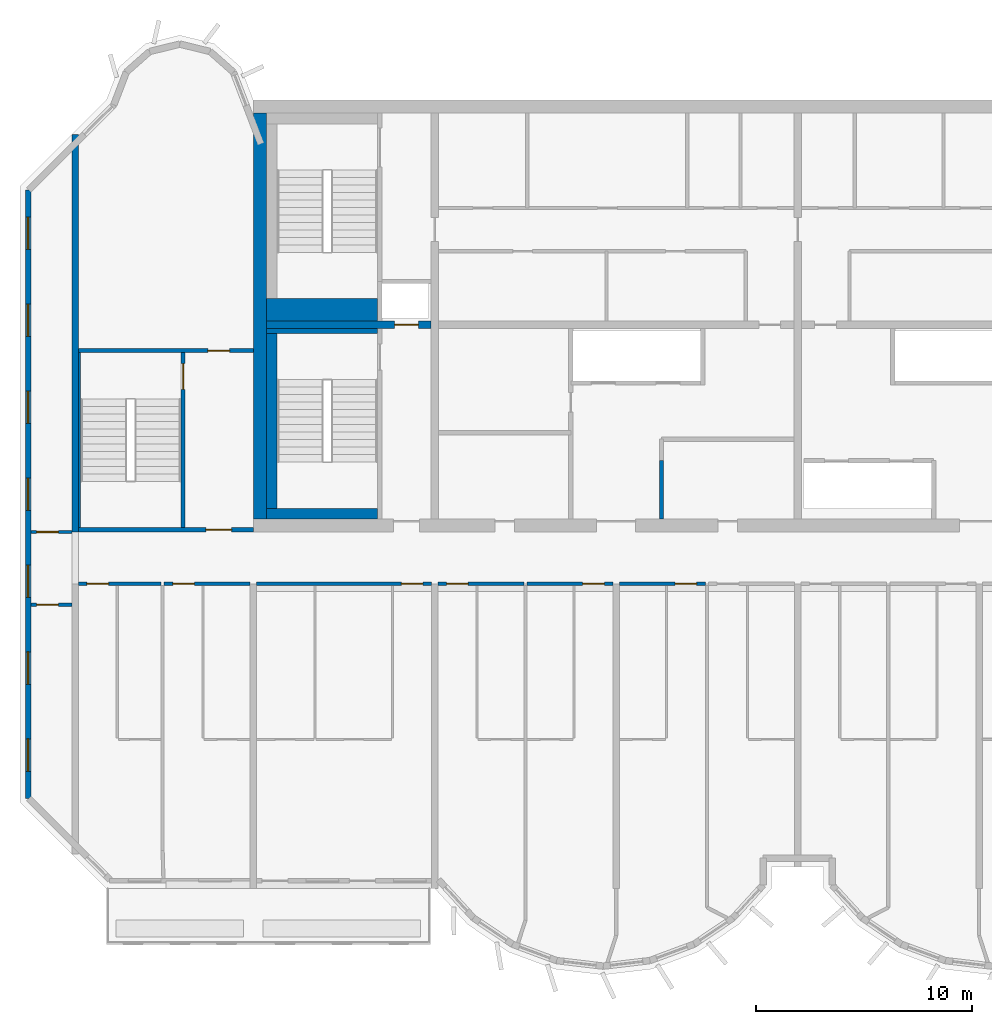
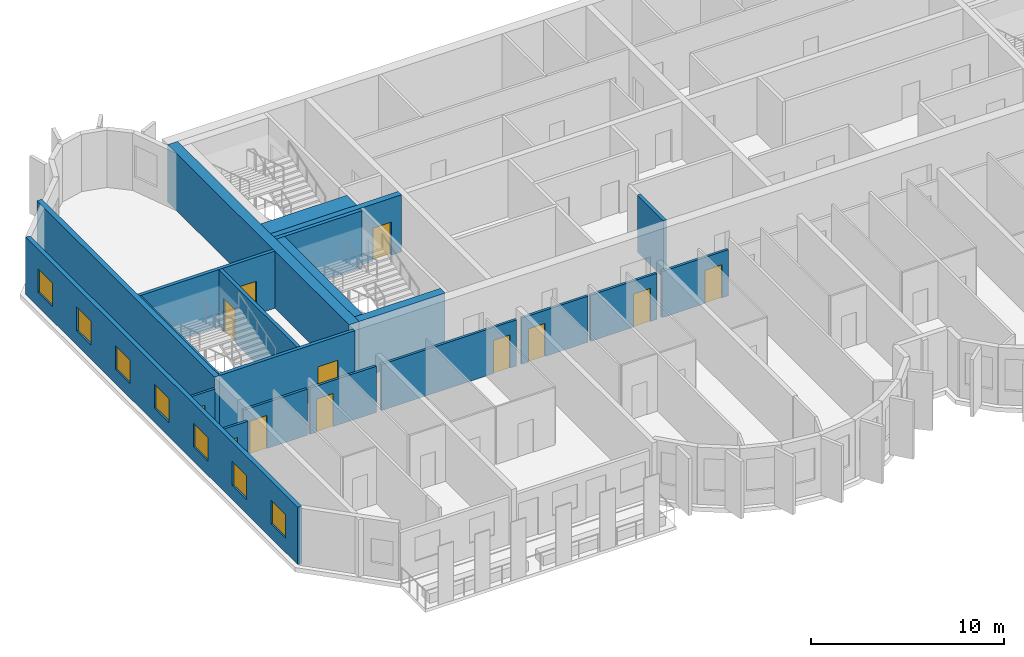
# One storey, part 3 of 11: 21 walls, 12 doors, 7 windows, 19 openings.
"""IFC4 building model written with IfcOpenShell, lengths in metres."""

from ifc_helpers import new_model, si_unit, direction, frame, frame_2d, origin, place, context, subcontext, project, spatial, rectangle, extrude, source, transform, mapped, material, layer, layer_set, type_object, element, fill, save


model = new_model("IFC4")

# Units and contexts
model_context = context("Model", 3, precision=1e-05, world=origin(), true_north=direction((0.0, 1.0)))
body_context = subcontext(model_context, "Body", "Model", "MODEL_VIEW")
ifc_project = project(units=[si_unit("LENGTHUNIT", "METRE"), si_unit("AREAUNIT", "SQUARE_METRE"), si_unit("VOLUMEUNIT", "CUBIC_METRE"), si_unit("PLANEANGLEUNIT", "RADIAN"), si_unit("MASSUNIT", "GRAM", prefix="KILO")], contexts=[model_context])

# Site, building, storey
site_placement = place(None, origin())
site = spatial("IfcSite", under=ifc_project, at=site_placement, CompositionType="ELEMENT")
building_placement = place(site_placement, origin())
building = spatial("IfcBuilding", under=site, at=building_placement, Name="Vanashikhar Sky Hotel", CompositionType="ELEMENT")
storey_placement = place(building_placement, frame((0.0, 0.0, 233.5)))
storey = spatial("IfcBuildingStorey", under=building, at=storey_placement, Name="L56", CompositionType="ELEMENT", Elevation=233.5)

# Wall
ifc_material_1 = material(Name="Concrete M60", Category="concrete")
ifc_layer_1 = layer(ifc_material_1, 0.60009765625)
ifc_layer_set_1 = layer_set([ifc_layer_1], Name="RC core shell wall 600 Concrete M60")
wall_type_1 = type_object("IfcWallType", Name="RC core shell wall 600 Concrete M60", PredefinedType="SHEAR", material=ifc_layer_set_1)
shared_shape_1 = source(origin(), body_context, "Body", "SweptSolid", [
    extrude(rectangle(XDim=18.7998046875, YDim=0.60009765625, at=frame_2d((9.39990234375, 0.0))), origin(), (0.0, 0.0, 1.0), 3.6201171875),
])
wall_1_placement = place(storey_placement, frame((25.5, 22.60009765625, 0.0), z_axis=(0.0, 0.0, 1.0), x_axis=(0.0, 1.0, 0.0)))
element("IfcWall", 1, at=wall_1_placement, inside=storey, type_object=wall_type_1, Name="KW-L56-KW", PredefinedType="SHEAR", context=body_context, shape_type="MappedRepresentation", body=[
    mapped(shared_shape_1, transform((0.0, 0.0, 0.0), scale=1.0)),
])

# Wall, opening, door
ifc_layer_2 = layer(ifc_material_1, 0.35009765625)
ifc_layer_set_2 = layer_set([ifc_layer_2], Name="RC core inner wall 350 Concrete M60")
wall_type_2 = type_object("IfcWallType", Name="RC core inner wall 350 Concrete M60", PredefinedType="SHEAR", material=ifc_layer_set_2)
shared_shape_2 = source(origin(), body_context, "Body", "SweptSolid", [
    extrude(rectangle(XDim=7.625, YDim=0.35009765625, at=frame_2d((3.8125, 0.0))), origin(), (0.0, 0.0, 1.0), 3.6201171875),
])
wall_2_placement = place(storey_placement, frame((25.800048828125, 31.60009765625, 0.0), z_axis=(0.0, 0.0, 1.0), x_axis=(1.0, 0.0, 0.0)))
wall_2 = element("IfcWall", 2, at=wall_2_placement, inside=storey, type_object=wall_type_2, Name="KW-L56-KY1", PredefinedType="SHEAR", context=body_context, shape_type="MappedRepresentation", body=[
    mapped(shared_shape_2, transform((0.0, 0.0, 0.0), scale=1.0)),
])
shared_shape_3 = source(origin(), body_context, "Body", "SweptSolid", [
    extrude(rectangle(XDim=1.10009765625, YDim=2.10009765625, at=frame_2d((0.550048828125, 1.050048828125))), frame((0.0, 0.18505859375, 0.0), z_axis=(0.0, -1.0, 0.0), x_axis=(1.0, 0.0, 0.0)), (0.0, 0.0, 1.0), 0.3701171875),
])
opening_1_placement = place(wall_2_placement, frame((5.93798828125, 0.0, 0.0)))
opening_1 = element("IfcOpeningElement", 3, at=opening_1_placement, cuts=wall_2, Name="Opening LD", PredefinedType="OPENING", context=body_context, shape_type="MappedRepresentation", body=[
    mapped(shared_shape_3, transform((0.0, 0.0, 0.0), scale=1.0)),
])
ifc_material_2 = material(Name="Stainless steel", Category="steel")
door_type_1 = type_object("IfcDoorType", Name="Lift landing door 1100", OperationType="NOTDEFINED", PredefinedType="DOOR", material=ifc_material_2)
shared_shape_4 = source(origin(), body_context, "Body", "SweptSolid", [
    extrude(rectangle(XDim=1.10009765625, YDim=2.10009765625, at=frame_2d((0.550048828125, 1.050048828125))), frame((0.0, 0.02490234375, 0.0), z_axis=(0.0, -1.0, 0.0), x_axis=(1.0, 0.0, 0.0)), (0.0, 0.0, 1.0), 0.050048828125),
])
door_1_placement = place(opening_1_placement, origin())
door_1 = element("IfcDoor", 4, at=door_1_placement, inside=storey, type_object=door_type_1, Name="Lift landing door 1100", OperationType="SLIDING_TO_LEFT", OverallHeight=2.10009765625, OverallWidth=1.10009765625, PredefinedType="DOOR", context=body_context, shape_type="MappedRepresentation", body=[
    mapped(shared_shape_4, transform((0.0, 0.0, 0.0), scale=1.0)),
])
fill(opening_1, door_1)

# Wall
ifc_layer_3 = layer(ifc_material_1, 0.300048828125)
ifc_layer_set_3 = layer_set([ifc_layer_3], Name="RC shear wall 300 Concrete M60")
wall_type_3 = type_object("IfcWallType", Name="RC shear wall 300 Concrete M60", PredefinedType="SHEAR", material=ifc_layer_set_3)
shared_shape_5 = source(origin(), body_context, "Body", "SweptSolid", [
    extrude(rectangle(XDim=18.39990234375, YDim=0.300048828125, at=frame_2d((9.199951171875, 0.0))), origin(), (0.0, 0.0, 1.0), 3.6201171875),
])
wall_3_placement = place(storey_placement, frame((16.949951171875, 22.0, 0.0), z_axis=(0.0, 0.0, 1.0), x_axis=(0.0, 1.0, 0.0)))
element("IfcWall", 5, at=wall_3_placement, inside=storey, type_object=wall_type_3, Name="CW-L56-XW03-2", PredefinedType="SHEAR", context=body_context, shape_type="MappedRepresentation", body=[
    mapped(shared_shape_5, transform((0.0, 0.0, 0.0), scale=1.0)),
])

# Wall, openings, windows
ifc_material_3 = material(Name="Concrete M50", Category="concrete")
ifc_layer_4 = layer(ifc_material_3, 0.25)
ifc_layer_set_4 = layer_set([ifc_layer_4], Name="Rear and end board-marked wall 250")
wall_type_4 = type_object("IfcWallType", Name="Rear and end board-marked wall 250", PredefinedType="SOLIDWALL", material=ifc_layer_set_4)
shared_shape_6 = source(origin(), body_context, "Body", "SweptSolid", [
    extrude(rectangle(XDim=28.189453125, YDim=0.25, at=frame_2d((14.0947265625, 0.0))), origin(), (0.0, 0.0, 1.0), 3.6201171875),
])
wall_4_placement = place(storey_placement, frame((14.77490234375, 37.8447265625, 0.0), z_axis=(0.0, 0.0, 1.0), x_axis=(0.0, -1.0, 0.0)))
wall_4 = element("IfcWall", 6, at=wall_4_placement, inside=storey, type_object=wall_type_4, Name="End board-marked wall", PredefinedType="SOLIDWALL", context=body_context, shape_type="MappedRepresentation", body=[
    mapped(shared_shape_6, transform((0.0, 0.0, 0.0), scale=1.0)),
])
shared_shape_7 = source(origin(), body_context, "Body", "SweptSolid", [
    extrude(rectangle(XDim=1.5, YDim=1.5, at=frame_2d((0.75, 0.75))), frame((0.0, 0.135009765625, 0.0), z_axis=(0.0, -1.0, 0.0), x_axis=(1.0, 0.0, 0.0)), (0.0, 0.0, 1.0), 0.27001953125),
])
opening_2_placement = place(wall_4_placement, frame((1.263427734375, 0.0, 0.89990234375)))
opening_2 = element("IfcOpeningElement", 7, at=opening_2_placement, cuts=wall_4, Name="Opening WN-1", PredefinedType="OPENING", context=body_context, shape_type="MappedRepresentation", body=[
    mapped(shared_shape_7, transform((0.0, 0.0, 0.0), scale=1.0)),
])
opening_3_placement = place(wall_4_placement, frame((5.29052734375, 0.0, 0.89990234375)))
opening_3 = element("IfcOpeningElement", 8, at=opening_3_placement, cuts=wall_4, Name="Opening WN-1", PredefinedType="OPENING", context=body_context, shape_type="MappedRepresentation", body=[
    mapped(shared_shape_7, transform((0.0, 0.0, 0.0), scale=1.0)),
])
opening_4_placement = place(wall_4_placement, frame((9.317626953125, 0.0, 0.89990234375)))
opening_4 = element("IfcOpeningElement", 9, at=opening_4_placement, cuts=wall_4, Name="Opening WN-1", PredefinedType="OPENING", context=body_context, shape_type="MappedRepresentation", body=[
    mapped(shared_shape_7, transform((0.0, 0.0, 0.0), scale=1.0)),
])
opening_5_placement = place(wall_4_placement, frame((13.3447265625, 0.0, 0.89990234375)))
opening_5 = element("IfcOpeningElement", 10, at=opening_5_placement, cuts=wall_4, Name="Opening WN-1", PredefinedType="OPENING", context=body_context, shape_type="MappedRepresentation", body=[
    mapped(shared_shape_7, transform((0.0, 0.0, 0.0), scale=1.0)),
])
opening_6_placement = place(wall_4_placement, frame((17.371826171875, 0.0, 0.89990234375)))
opening_6 = element("IfcOpeningElement", 11, at=opening_6_placement, cuts=wall_4, Name="Opening WN-1", PredefinedType="OPENING", context=body_context, shape_type="MappedRepresentation", body=[
    mapped(shared_shape_7, transform((0.0, 0.0, 0.0), scale=1.0)),
])
opening_7_placement = place(wall_4_placement, frame((21.398681640625, 0.0, 0.89990234375)))
opening_7 = element("IfcOpeningElement", 12, at=opening_7_placement, cuts=wall_4, Name="Opening WN-1", PredefinedType="OPENING", context=body_context, shape_type="MappedRepresentation", body=[
    mapped(shared_shape_7, transform((0.0, 0.0, 0.0), scale=1.0)),
])
opening_8_placement = place(wall_4_placement, frame((25.42578125, 0.0, 0.89990234375)))
opening_8 = element("IfcOpeningElement", 13, at=opening_8_placement, cuts=wall_4, Name="Opening WN-1", PredefinedType="OPENING", context=body_context, shape_type="MappedRepresentation", body=[
    mapped(shared_shape_7, transform((0.0, 0.0, 0.0), scale=1.0)),
])
ifc_material_4 = material(Name="Glass", Category="glass")
window_type = type_object("IfcWindowType", Name="Window 1500 x 1500", PartitioningType="SINGLE_PANEL", PredefinedType="WINDOW", material=ifc_material_4)
shared_shape_8 = source(origin(), body_context, "Body", "SweptSolid", [
    extrude(rectangle(XDim=1.5, YDim=1.5, at=frame_2d((0.75, 0.75))), frame((0.0, 0.030029296875, 0.0), z_axis=(0.0, -1.0, 0.0), x_axis=(1.0, 0.0, 0.0)), (0.0, 0.0, 1.0), 0.06005859375),
])
window_1_placement = place(opening_2_placement, origin())
window_1 = element("IfcWindow", 14, at=window_1_placement, inside=storey, type_object=window_type, Name="Window WN-1", OverallHeight=1.5, OverallWidth=1.5, PartitioningType="SINGLE_PANEL", PredefinedType="WINDOW", context=body_context, shape_type="MappedRepresentation", body=[
    mapped(shared_shape_8, transform((0.0, 0.0, 0.0), scale=1.0)),
])
fill(opening_2, window_1)
window_2_placement = place(opening_3_placement, origin())
window_2 = element("IfcWindow", 15, at=window_2_placement, inside=storey, type_object=window_type, Name="Window WN-1", OverallHeight=1.5, OverallWidth=1.5, PartitioningType="SINGLE_PANEL", PredefinedType="WINDOW", context=body_context, shape_type="MappedRepresentation", body=[
    mapped(shared_shape_8, transform((0.0, 0.0, 0.0), scale=1.0)),
])
fill(opening_3, window_2)
window_3_placement = place(opening_4_placement, origin())
window_3 = element("IfcWindow", 16, at=window_3_placement, inside=storey, type_object=window_type, Name="Window WN-1", OverallHeight=1.5, OverallWidth=1.5, PartitioningType="SINGLE_PANEL", PredefinedType="WINDOW", context=body_context, shape_type="MappedRepresentation", body=[
    mapped(shared_shape_8, transform((0.0, 0.0, 0.0), scale=1.0)),
])
fill(opening_4, window_3)
window_4_placement = place(opening_5_placement, origin())
window_4 = element("IfcWindow", 17, at=window_4_placement, inside=storey, type_object=window_type, Name="Window WN-1", OverallHeight=1.5, OverallWidth=1.5, PartitioningType="SINGLE_PANEL", PredefinedType="WINDOW", context=body_context, shape_type="MappedRepresentation", body=[
    mapped(shared_shape_8, transform((0.0, 0.0, 0.0), scale=1.0)),
])
fill(opening_5, window_4)
window_5_placement = place(opening_6_placement, origin())
window_5 = element("IfcWindow", 18, at=window_5_placement, inside=storey, type_object=window_type, Name="Window WN-1", OverallHeight=1.5, OverallWidth=1.5, PartitioningType="SINGLE_PANEL", PredefinedType="WINDOW", context=body_context, shape_type="MappedRepresentation", body=[
    mapped(shared_shape_8, transform((0.0, 0.0, 0.0), scale=1.0)),
])
fill(opening_6, window_5)
window_6_placement = place(opening_7_placement, origin())
window_6 = element("IfcWindow", 19, at=window_6_placement, inside=storey, type_object=window_type, Name="Window WN-1", OverallHeight=1.5, OverallWidth=1.5, PartitioningType="SINGLE_PANEL", PredefinedType="WINDOW", context=body_context, shape_type="MappedRepresentation", body=[
    mapped(shared_shape_8, transform((0.0, 0.0, 0.0), scale=1.0)),
])
fill(opening_7, window_6)
window_7_placement = place(opening_8_placement, origin())
window_7 = element("IfcWindow", 20, at=window_7_placement, inside=storey, type_object=window_type, Name="Window WN-1", OverallHeight=1.5, OverallWidth=1.5, PartitioningType="SINGLE_PANEL", PredefinedType="WINDOW", context=body_context, shape_type="MappedRepresentation", body=[
    mapped(shared_shape_8, transform((0.0, 0.0, 0.0), scale=1.0)),
])
fill(opening_8, window_7)

# Wall
ifc_material_5 = material(Name="Gypsum board partition")
ifc_layer_5 = layer(ifc_material_5, 0.14990234375)
ifc_layer_set_5 = layer_set([ifc_layer_5], Name="Service partition 150")
wall_type_5 = type_object("IfcWallType", Name="Service partition 150", PredefinedType="PARTITIONING", material=ifc_layer_set_5)
shared_shape_9 = source(origin(), body_context, "Body", "SweptSolid", [
    extrude(rectangle(XDim=2.699951171875, YDim=0.199951171875, at=frame_2d((1.35009765625, 0.0))), origin(), (0.0, 0.0, 1.0), 3.6201171875),
])
wall_5_placement = place(storey_placement, frame((44.10009765625, 22.60009765625, 0.0), z_axis=(0.0, 0.0, 1.0), x_axis=(0.0, 1.0, 0.0)))
element("IfcWall", 21, at=wall_5_placement, inside=storey, type_object=wall_type_5, Name="Service partition 150", PredefinedType="PARTITIONING", context=body_context, shape_type="MappedRepresentation", body=[
    mapped(shared_shape_9, transform((0.0, 0.0, 0.0), scale=1.0)),
])

# Wall, opening, door
ifc_layer_6 = layer(ifc_material_3, 0.199951171875)
ifc_layer_set_6 = layer_set([ifc_layer_6], Name="Stair wall 200")
wall_type_6 = type_object("IfcWallType", Name="Stair wall 200", PredefinedType="SOLIDWALL", material=ifc_layer_set_6)
shared_shape_10 = source(origin(), body_context, "Body", "SweptSolid", [
    extrude(rectangle(XDim=8.2998046875, YDim=0.199951171875, at=frame_2d((4.14990234375, 0.0))), origin(), (0.0, 0.0, 1.0), 3.6201171875),
])
wall_6_placement = place(storey_placement, frame((21.949951171875, 22.10009765625, 0.0), z_axis=(0.0, 0.0, 1.0), x_axis=(0.0, 1.0, 0.0)))
wall_6 = element("IfcWall", 22, at=wall_6_placement, inside=storey, type_object=wall_type_6, Name="Stair wall 200", PredefinedType="SOLIDWALL", context=body_context, shape_type="MappedRepresentation", body=[
    mapped(shared_shape_10, transform((0.0, 0.0, 0.0), scale=1.0)),
])
shared_shape_11 = source(origin(), body_context, "Body", "SweptSolid", [
    extrude(rectangle(XDim=1.199951171875, YDim=2.10009765625, at=frame_2d((0.60009765625, 1.050048828125))), frame((0.0, 0.10986328125, 0.0), z_axis=(0.0, -1.0, 0.0), x_axis=(1.0, 0.0, 0.0)), (0.0, 0.0, 1.0), 0.219970703125),
])
opening_9_placement = place(wall_6_placement, frame((6.5, 0.0, 0.0)))
opening_9 = element("IfcOpeningElement", 23, at=opening_9_placement, cuts=wall_6, Name="Opening DC-1", PredefinedType="OPENING", context=body_context, shape_type="MappedRepresentation", body=[
    mapped(shared_shape_11, transform((0.0, 0.0, 0.0), scale=1.0)),
])
ifc_material_6 = material(Name="Steel", Category="steel")
door_type_2 = type_object("IfcDoorType", Name="Stair door 1200 FD120", OperationType="NOTDEFINED", PredefinedType="DOOR", material=ifc_material_6)
shared_shape_12 = source(origin(), body_context, "Body", "SweptSolid", [
    extrude(rectangle(XDim=1.199951171875, YDim=2.10009765625, at=frame_2d((0.60009765625, 1.050048828125))), frame((0.0, 0.02490234375, 0.0), z_axis=(0.0, -1.0, 0.0), x_axis=(1.0, 0.0, 0.0)), (0.0, 0.0, 1.0), 0.050048828125),
])
door_2_placement = place(opening_9_placement, origin())
door_2 = element("IfcDoor", 24, at=door_2_placement, inside=storey, type_object=door_type_2, Name="Stair door 1200 FD120", OperationType="SINGLE_SWING_RIGHT", OverallHeight=2.10009765625, OverallWidth=1.199951171875, PredefinedType="DOOR", context=body_context, shape_type="MappedRepresentation", body=[
    mapped(shared_shape_12, transform((0.0, 0.0, 0.0), scale=1.0)),
])
fill(opening_9, door_2)

shared_shape_13 = source(origin(), body_context, "Body", "SweptSolid", [
    extrude(rectangle(XDim=8.099853515625, YDim=0.199951171875, at=frame_2d((4.0498046875, 0.0))), origin(), (0.0, 0.0, 1.0), 3.6201171875),
])
wall_7_placement = place(storey_placement, frame((17.10009765625, 22.10009765625, 0.0), z_axis=(0.0, 0.0, 1.0), x_axis=(1.0, 0.0, 0.0)))
wall_7 = element("IfcWall", 25, at=wall_7_placement, inside=storey, type_object=wall_type_6, Name="Stair wall 200", PredefinedType="SOLIDWALL", context=body_context, shape_type="MappedRepresentation", body=[
    mapped(shared_shape_13, transform((0.0, 0.0, 0.0), scale=1.0)),
])
opening_10_placement = place(wall_7_placement, frame((5.89990234375, 0.0, 0.0)))
opening_10 = element("IfcOpeningElement", 26, at=opening_10_placement, cuts=wall_7, Name="Opening DC-2", PredefinedType="OPENING", context=body_context, shape_type="MappedRepresentation", body=[
    mapped(shared_shape_11, transform((0.0, 0.0, 0.0), scale=1.0)),
])
door_type_3 = type_object("IfcDoorType", Name="Firefighting lobby door 1200 FD120", OperationType="NOTDEFINED", PredefinedType="DOOR", material=ifc_material_6)
door_3_placement = place(opening_10_placement, origin())
door_3 = element("IfcDoor", 27, at=door_3_placement, inside=storey, type_object=door_type_3, Name="Firefighting lobby door 1200 FD120", OperationType="SINGLE_SWING_RIGHT", OverallHeight=2.10009765625, OverallWidth=1.199951171875, PredefinedType="DOOR", context=body_context, shape_type="MappedRepresentation", body=[
    mapped(shared_shape_12, transform((0.0, 0.0, 0.0), scale=1.0)),
])
fill(opening_10, door_3)

wall_8_placement = place(storey_placement, frame((17.10009765625, 30.39990234375, 0.0), z_axis=(0.0, 0.0, 1.0), x_axis=(1.0, 0.0, 0.0)))
wall_8 = element("IfcWall", 28, at=wall_8_placement, inside=storey, type_object=wall_type_6, Name="Stair wall 200", PredefinedType="SOLIDWALL", context=body_context, shape_type="MappedRepresentation", body=[
    mapped(shared_shape_13, transform((0.0, 0.0, 0.0), scale=1.0)),
])
shared_shape_14 = source(origin(), body_context, "Body", "SweptSolid", [
    extrude(rectangle(XDim=1.0, YDim=2.10009765625, at=frame_2d((0.5, 1.050048828125))), frame((0.0, 0.10986328125, 0.0), z_axis=(0.0, -1.0, 0.0), x_axis=(1.0, 0.0, 0.0)), (0.0, 0.0, 1.0), 0.219970703125),
])
opening_11_placement = place(wall_8_placement, frame((6.0, 0.0, 0.0)))
opening_11 = element("IfcOpeningElement", 29, at=opening_11_placement, cuts=wall_8, Name="Opening DC-6", PredefinedType="OPENING", context=body_context, shape_type="MappedRepresentation", body=[
    mapped(shared_shape_14, transform((0.0, 0.0, 0.0), scale=1.0)),
])
door_type_4 = type_object("IfcDoorType", Name="Pocket door 1000 FD60", OperationType="NOTDEFINED", PredefinedType="DOOR", material=ifc_material_6)
shared_shape_15 = source(origin(), body_context, "Body", "SweptSolid", [
    extrude(rectangle(XDim=1.0, YDim=2.10009765625, at=frame_2d((0.5, 1.050048828125))), frame((0.0, 0.02490234375, 0.0), z_axis=(0.0, -1.0, 0.0), x_axis=(1.0, 0.0, 0.0)), (0.0, 0.0, 1.0), 0.050048828125),
])
door_4_placement = place(opening_11_placement, origin())
door_4 = element("IfcDoor", 30, at=door_4_placement, inside=storey, type_object=door_type_4, Name="Pocket door 1000 FD60", OperationType="SINGLE_SWING_RIGHT", OverallHeight=2.10009765625, OverallWidth=1.0, PredefinedType="DOOR", context=body_context, shape_type="MappedRepresentation", body=[
    mapped(shared_shape_15, transform((0.0, 0.0, 0.0), scale=1.0)),
])
fill(opening_11, door_4)

# Walls
ifc_layer_7 = layer(ifc_material_3, 0.5)
ifc_layer_set_7 = layer_set([ifc_layer_7], Name="Stair infill wall 500")
wall_type_7 = type_object("IfcWallType", Name="Stair infill wall 500", PredefinedType="SOLIDWALL", material=ifc_layer_set_7)
shared_shape_16 = source(origin(), body_context, "Body", "SweptSolid", [
    extrude(rectangle(XDim=5.14990234375, YDim=0.5, at=frame_2d((2.574951171875, 0.0))), origin(), (0.0, 0.0, 1.0), 3.6201171875),
])
wall_9_placement = place(storey_placement, frame((25.800048828125, 22.85009765625, 0.0), z_axis=(0.0, 0.0, 1.0), x_axis=(1.0, 0.0, 0.0)))
element("IfcWall", 31, at=wall_9_placement, inside=storey, type_object=wall_type_7, Name="Stair infill wall 500", PredefinedType="SOLIDWALL", context=body_context, shape_type="MappedRepresentation", body=[
    mapped(shared_shape_16, transform((0.0, 0.0, 0.0), scale=1.0)),
])
ifc_layer_8 = layer(ifc_material_3, 0.22509765625)
ifc_layer_set_8 = layer_set([ifc_layer_8], Name="Stair infill wall 225")
wall_type_8 = type_object("IfcWallType", Name="Stair infill wall 225", PredefinedType="SOLIDWALL", material=ifc_layer_set_8)
shared_shape_17 = source(origin(), body_context, "Body", "SweptSolid", [
    extrude(rectangle(XDim=5.14990234375, YDim=0.22509765625, at=frame_2d((2.574951171875, 0.0))), origin(), (0.0, 0.0, 1.0), 3.6201171875),
])
wall_10_placement = place(storey_placement, frame((25.800048828125, 31.31201171875, 0.0), z_axis=(0.0, 0.0, 1.0), x_axis=(1.0, 0.0, 0.0)))
element("IfcWall", 32, at=wall_10_placement, inside=storey, type_object=wall_type_8, Name="Stair infill wall 225", PredefinedType="SOLIDWALL", context=body_context, shape_type="MappedRepresentation", body=[
    mapped(shared_shape_17, transform((0.0, 0.0, 0.0), scale=1.0)),
])
shared_shape_18 = source(origin(), body_context, "Body", "SweptSolid", [
    extrude(rectangle(XDim=8.099853515625, YDim=0.5, at=frame_2d((4.0498046875, 0.0))), origin(), (0.0, 0.0, 1.0), 3.6201171875),
])
wall_11_placement = place(storey_placement, frame((26.050048828125, 23.10009765625, 0.0), z_axis=(0.0, 0.0, 1.0), x_axis=(0.0, 1.0, 0.0)))
element("IfcWall", 33, at=wall_11_placement, inside=storey, type_object=wall_type_7, Name="Stair infill wall 500", PredefinedType="SOLIDWALL", context=body_context, shape_type="MappedRepresentation", body=[
    mapped(shared_shape_18, transform((0.0, 0.0, 0.0), scale=1.0)),
])
ifc_layer_9 = layer(ifc_material_3, 0.10009765625)
ifc_layer_set_9 = layer_set([ifc_layer_9], Name="Stair infill wall 100")
wall_type_9 = type_object("IfcWallType", Name="Stair infill wall 100", PredefinedType="SOLIDWALL", material=ifc_layer_set_9)
shared_shape_19 = source(origin(), body_context, "Body", "SweptSolid", [
    extrude(rectangle(XDim=8.10009765625, YDim=0.10009765625, at=frame_2d((4.050048828125, 0.0))), origin(), (0.0, 0.0, 1.0), 3.6201171875),
])
wall_12_placement = place(storey_placement, frame((17.14990234375, 22.199951171875, 0.0), z_axis=(0.0, 0.0, 1.0), x_axis=(0.0, 1.0, 0.0)))
element("IfcWall", 34, at=wall_12_placement, inside=storey, type_object=wall_type_9, Name="Stair infill wall 100", PredefinedType="SOLIDWALL", context=body_context, shape_type="MappedRepresentation", body=[
    mapped(shared_shape_19, transform((0.0, 0.0, 0.0), scale=1.0)),
])
ifc_layer_10 = layer(ifc_material_3, 1.02490234375)
ifc_layer_set_10 = layer_set([ifc_layer_10], Name="Stair infill wall 1025")
wall_type_10 = type_object("IfcWallType", Name="Stair infill wall 1025", PredefinedType="SOLIDWALL", material=ifc_layer_set_10)
shared_shape_20 = source(origin(), body_context, "Body", "SweptSolid", [
    extrude(rectangle(XDim=5.14990234375, YDim=1.02490234375, at=frame_2d((2.574951171875, 0.0))), origin(), (0.0, 0.0, 1.0), 3.6201171875),
])
wall_13_placement = place(storey_placement, frame((25.800048828125, 32.287109375, 0.0), z_axis=(0.0, 0.0, 1.0), x_axis=(1.0, 0.0, 0.0)))
element("IfcWall", 35, at=wall_13_placement, inside=storey, type_object=wall_type_10, Name="Stair infill wall 1025", PredefinedType="SOLIDWALL", context=body_context, shape_type="MappedRepresentation", body=[
    mapped(shared_shape_20, transform((0.0, 0.0, 0.0), scale=1.0)),
])

# Wall, opening, door
ifc_material_7 = material(Name="Gypsum plasterboard partition")
ifc_layer_11 = layer(ifc_material_7, 0.14990234375)
ifc_layer_set_11 = layer_set([ifc_layer_11], Name="Corridor and demising partition 150")
wall_type_11 = type_object("IfcWallType", Name="Corridor and demising partition 150", PredefinedType="PARTITIONING", material=ifc_layer_set_11)
shared_shape_21 = source(origin(), body_context, "Body", "SweptSolid", [
    extrude(rectangle(XDim=3.824951171875, YDim=0.14990234375, at=frame_2d((1.91259765625, 0.0))), origin(), (0.0, 0.0, 1.0), 2.919921875),
])
wall_14_placement = place(storey_placement, frame((17.10009765625, 19.60009765625, 0.0), z_axis=(0.0, 0.0, 1.0), x_axis=(1.0, 0.0, 0.0)))
wall_14 = element("IfcWall", 36, at=wall_14_placement, inside=storey, type_object=wall_type_11, Name="W-L56-PW003", PredefinedType="PARTITIONING", context=body_context, shape_type="MappedRepresentation", body=[
    mapped(shared_shape_21, transform((0.0, 0.0, 0.0), scale=1.0)),
])
shared_shape_22 = source(origin(), body_context, "Body", "SweptSolid", [
    extrude(rectangle(XDim=1.0, YDim=2.10009765625, at=frame_2d((0.5, 1.050048828125))), frame((0.0, 0.0849609375, 0.0), z_axis=(0.0, -1.0, 0.0), x_axis=(1.0, 0.0, 0.0)), (0.0, 0.0, 1.0), 0.169921875),
])
opening_12_placement = place(wall_14_placement, frame((0.39990234375, 0.0, 0.0)))
opening_12 = element("IfcOpeningElement", 37, at=opening_12_placement, cuts=wall_14, Name="Opening D-01", PredefinedType="OPENING", context=body_context, shape_type="MappedRepresentation", body=[
    mapped(shared_shape_22, transform((0.0, 0.0, 0.0), scale=1.0)),
])
ifc_material_8 = material(Name="Timber fire door", Category="wood")
door_type_5 = type_object("IfcDoorType", Name="Guest entry door 1000 FD30S", OperationType="NOTDEFINED", PredefinedType="DOOR", material=ifc_material_8)
door_5_placement = place(opening_12_placement, origin())
door_5 = element("IfcDoor", 38, at=door_5_placement, inside=storey, type_object=door_type_5, Name="D-L56-002", OperationType="SINGLE_SWING_LEFT", OverallHeight=2.10009765625, OverallWidth=1.0, PredefinedType="DOOR", context=body_context, shape_type="MappedRepresentation", body=[
    mapped(shared_shape_15, transform((0.0, 0.0, 0.0), scale=1.0)),
])
fill(opening_12, door_5)

shared_shape_23 = source(origin(), body_context, "Body", "SweptSolid", [
    extrude(rectangle(XDim=3.97509765625, YDim=0.14990234375, at=frame_2d((1.987548828125, 0.0))), origin(), (0.0, 0.0, 1.0), 2.919921875),
])
wall_15_placement = place(storey_placement, frame((21.074951171875, 19.60009765625, 0.0), z_axis=(0.0, 0.0, 1.0), x_axis=(1.0, 0.0, 0.0)))
wall_15 = element("IfcWall", 39, at=wall_15_placement, inside=storey, type_object=wall_type_11, Name="W-L56-PW006", PredefinedType="PARTITIONING", context=body_context, shape_type="MappedRepresentation", body=[
    mapped(shared_shape_23, transform((0.0, 0.0, 0.0), scale=1.0)),
])
opening_13_placement = place(wall_15_placement, frame((0.39990234375, 0.0, 0.0)))
opening_13 = element("IfcOpeningElement", 40, at=opening_13_placement, cuts=wall_15, Name="Opening D-01", PredefinedType="OPENING", context=body_context, shape_type="MappedRepresentation", body=[
    mapped(shared_shape_22, transform((0.0, 0.0, 0.0), scale=1.0)),
])
door_6_placement = place(opening_13_placement, origin())
door_6 = element("IfcDoor", 41, at=door_6_placement, inside=storey, type_object=door_type_5, Name="D-L56-004", OperationType="SINGLE_SWING_LEFT", OverallHeight=2.10009765625, OverallWidth=1.0, PredefinedType="DOOR", context=body_context, shape_type="MappedRepresentation", body=[
    mapped(shared_shape_15, transform((0.0, 0.0, 0.0), scale=1.0)),
])
fill(opening_13, door_6)

wall_16_placement = place(storey_placement, frame((33.75, 19.60009765625, 0.0), z_axis=(0.0, 0.0, 1.0), x_axis=(1.0, 0.0, 0.0)))
wall_16 = element("IfcWall", 42, at=wall_16_placement, inside=storey, type_object=wall_type_11, Name="W-L56-PW015", PredefinedType="PARTITIONING", context=body_context, shape_type="MappedRepresentation", body=[
    mapped(shared_shape_23, transform((0.0, 0.0, 0.0), scale=1.0)),
])
opening_14_placement = place(wall_16_placement, frame((0.39990234375, 0.0, 0.0)))
opening_14 = element("IfcOpeningElement", 43, at=opening_14_placement, cuts=wall_16, Name="Opening D-01", PredefinedType="OPENING", context=body_context, shape_type="MappedRepresentation", body=[
    mapped(shared_shape_22, transform((0.0, 0.0, 0.0), scale=1.0)),
])
door_7_placement = place(opening_14_placement, origin())
door_7 = element("IfcDoor", 44, at=door_7_placement, inside=storey, type_object=door_type_5, Name="D-L56-009", OperationType="SINGLE_SWING_LEFT", OverallHeight=2.10009765625, OverallWidth=1.0, PredefinedType="DOOR", context=body_context, shape_type="MappedRepresentation", body=[
    mapped(shared_shape_15, transform((0.0, 0.0, 0.0), scale=1.0)),
])
fill(opening_14, door_7)

wall_17_placement = place(storey_placement, frame((37.875, 19.60009765625, 0.0), z_axis=(0.0, 0.0, 1.0), x_axis=(1.0, 0.0, 0.0)))
wall_17 = element("IfcWall", 45, at=wall_17_placement, inside=storey, type_object=wall_type_11, Name="W-L56-PW018", PredefinedType="PARTITIONING", context=body_context, shape_type="MappedRepresentation", body=[
    mapped(shared_shape_23, transform((0.0, 0.0, 0.0), scale=1.0)),
])
opening_15_placement = place(wall_17_placement, frame((2.574951171875, 0.0, 0.0)))
opening_15 = element("IfcOpeningElement", 46, at=opening_15_placement, cuts=wall_17, Name="Opening D-01", PredefinedType="OPENING", context=body_context, shape_type="MappedRepresentation", body=[
    mapped(shared_shape_22, transform((0.0, 0.0, 0.0), scale=1.0)),
])
door_8_placement = place(opening_15_placement, origin())
door_8 = element("IfcDoor", 47, at=door_8_placement, inside=storey, type_object=door_type_5, Name="D-L56-011", OperationType="SINGLE_SWING_RIGHT", OverallHeight=2.10009765625, OverallWidth=1.0, PredefinedType="DOOR", context=body_context, shape_type="MappedRepresentation", body=[
    mapped(shared_shape_15, transform((0.0, 0.0, 0.0), scale=1.0)),
])
fill(opening_15, door_8)

wall_18_placement = place(storey_placement, frame((42.14990234375, 19.60009765625, 0.0), z_axis=(0.0, 0.0, 1.0), x_axis=(1.0, 0.0, 0.0)))
wall_18 = element("IfcWall", 48, at=wall_18_placement, inside=storey, type_object=wall_type_11, Name="W-L56-PW022", PredefinedType="PARTITIONING", context=body_context, shape_type="MappedRepresentation", body=[
    mapped(shared_shape_23, transform((0.0, 0.0, 0.0), scale=1.0)),
])
opening_16_placement = place(wall_18_placement, frame((2.574951171875, 0.0, 0.0)))
opening_16 = element("IfcOpeningElement", 49, at=opening_16_placement, cuts=wall_18, Name="Opening D-01", PredefinedType="OPENING", context=body_context, shape_type="MappedRepresentation", body=[
    mapped(shared_shape_22, transform((0.0, 0.0, 0.0), scale=1.0)),
])
door_9_placement = place(opening_16_placement, origin())
door_9 = element("IfcDoor", 50, at=door_9_placement, inside=storey, type_object=door_type_5, Name="D-L56-013", OperationType="SINGLE_SWING_RIGHT", OverallHeight=2.10009765625, OverallWidth=1.0, PredefinedType="DOOR", context=body_context, shape_type="MappedRepresentation", body=[
    mapped(shared_shape_15, transform((0.0, 0.0, 0.0), scale=1.0)),
])
fill(opening_16, door_9)

shared_shape_24 = source(origin(), body_context, "Body", "SweptSolid", [
    extrude(rectangle(XDim=8.099853515625, YDim=0.14990234375, at=frame_2d((4.0498046875, 0.0))), origin(), (0.0, 0.0, 1.0), 2.919921875),
])
wall_19_placement = place(storey_placement, frame((25.35009765625, 19.60009765625, 0.0), z_axis=(0.0, 0.0, 1.0), x_axis=(1.0, 0.0, 0.0)))
wall_19 = element("IfcWall", 51, at=wall_19_placement, inside=storey, type_object=wall_type_11, Name="W-L56-PW012", PredefinedType="PARTITIONING", context=body_context, shape_type="MappedRepresentation", body=[
    mapped(shared_shape_24, transform((0.0, 0.0, 0.0), scale=1.0)),
])
opening_17_placement = place(wall_19_placement, frame((6.699951171875, 0.0, 0.0)))
opening_17 = element("IfcOpeningElement", 52, at=opening_17_placement, cuts=wall_19, Name="Opening D-01", PredefinedType="OPENING", context=body_context, shape_type="MappedRepresentation", body=[
    mapped(shared_shape_22, transform((0.0, 0.0, 0.0), scale=1.0)),
])
door_10_placement = place(opening_17_placement, origin())
door_10 = element("IfcDoor", 53, at=door_10_placement, inside=storey, type_object=door_type_5, Name="D-L56-007", OperationType="SINGLE_SWING_RIGHT", OverallHeight=2.10009765625, OverallWidth=1.0, PredefinedType="DOOR", context=body_context, shape_type="MappedRepresentation", body=[
    mapped(shared_shape_15, transform((0.0, 0.0, 0.0), scale=1.0)),
])
fill(opening_17, door_10)

shared_shape_25 = source(origin(), body_context, "Body", "SweptSolid", [
    extrude(rectangle(XDim=1.900146484375, YDim=0.14990234375, at=frame_2d((0.9501953125, 0.0))), origin(), (0.0, 0.0, 1.0), 2.919921875),
])
wall_20_placement = place(storey_placement, frame((14.89990234375, 22.0, 0.0), z_axis=(0.0, 0.0, 1.0), x_axis=(1.0, 0.0, 0.0)))
wall_20 = element("IfcWall", 54, at=wall_20_placement, inside=storey, type_object=wall_type_11, Name="W-L56-PW049", PredefinedType="PARTITIONING", context=body_context, shape_type="MappedRepresentation", body=[
    mapped(shared_shape_25, transform((0.0, 0.0, 0.0), scale=1.0)),
])
opening_18_placement = place(wall_20_placement, frame((0.27490234375, 0.0, 0.0)))
opening_18 = element("IfcOpeningElement", 55, at=opening_18_placement, cuts=wall_20, Name="Opening D-01", PredefinedType="OPENING", context=body_context, shape_type="MappedRepresentation", body=[
    mapped(shared_shape_22, transform((0.0, 0.0, 0.0), scale=1.0)),
])
door_11_placement = place(opening_18_placement, origin())
door_11 = element("IfcDoor", 56, at=door_11_placement, inside=storey, type_object=door_type_5, Name="D-L56-028", OperationType="SINGLE_SWING_LEFT", OverallHeight=2.10009765625, OverallWidth=1.0, PredefinedType="DOOR", context=body_context, shape_type="MappedRepresentation", body=[
    mapped(shared_shape_15, transform((0.0, 0.0, 0.0), scale=1.0)),
])
fill(opening_18, door_11)

wall_21_placement = place(storey_placement, frame((14.89990234375, 18.6279296875, 0.0), z_axis=(0.0, 0.0, 1.0), x_axis=(1.0, 0.0, 0.0)))
wall_21 = element("IfcWall", 57, at=wall_21_placement, inside=storey, type_object=wall_type_11, Name="W-L56-PW051", PredefinedType="PARTITIONING", context=body_context, shape_type="MappedRepresentation", body=[
    mapped(shared_shape_25, transform((0.0, 0.0, 0.0), scale=1.0)),
])
opening_19_placement = place(wall_21_placement, frame((0.27490234375, 0.0, 0.0)))
opening_19 = element("IfcOpeningElement", 58, at=opening_19_placement, cuts=wall_21, Name="Opening D-01", PredefinedType="OPENING", context=body_context, shape_type="MappedRepresentation", body=[
    mapped(shared_shape_22, transform((0.0, 0.0, 0.0), scale=1.0)),
])
door_12_placement = place(opening_19_placement, origin())
door_12 = element("IfcDoor", 59, at=door_12_placement, inside=storey, type_object=door_type_5, Name="D-L56-030", OperationType="SINGLE_SWING_LEFT", OverallHeight=2.10009765625, OverallWidth=1.0, PredefinedType="DOOR", context=body_context, shape_type="MappedRepresentation", body=[
    mapped(shared_shape_15, transform((0.0, 0.0, 0.0), scale=1.0)),
])
fill(opening_19, door_12)

save(model, "model.ifc")
